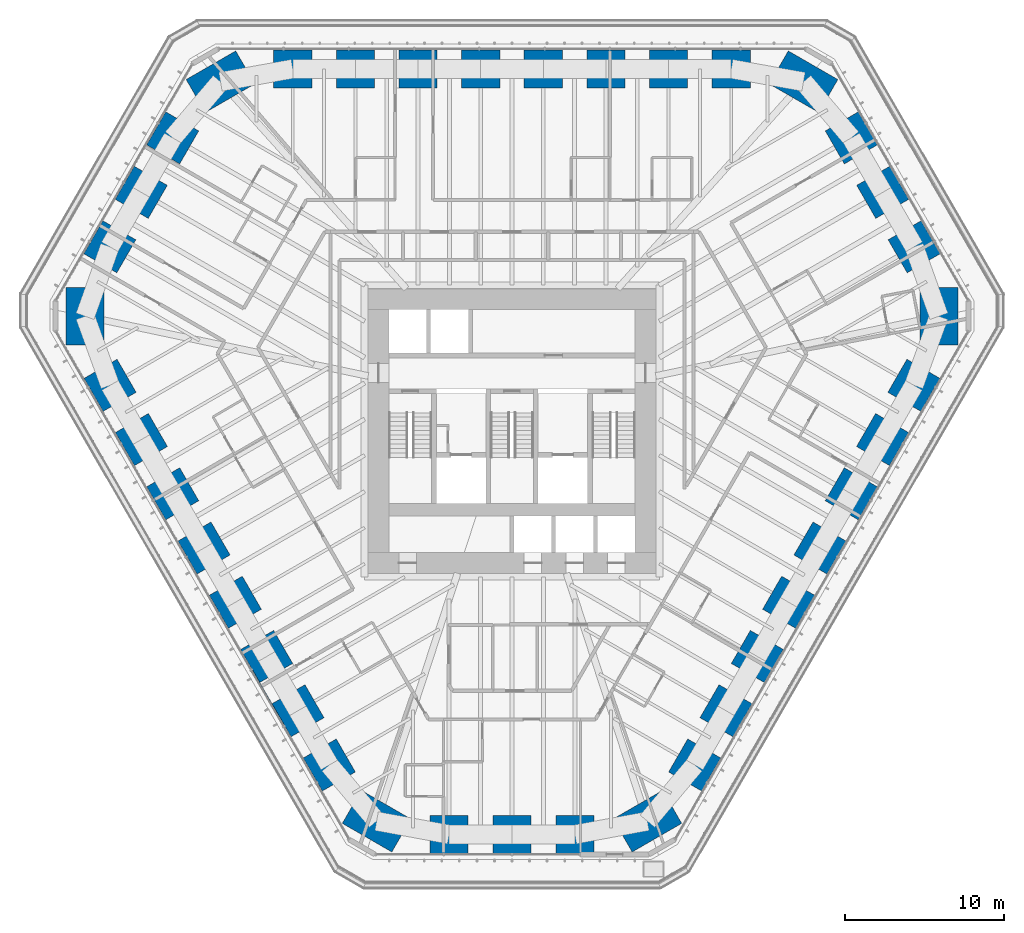
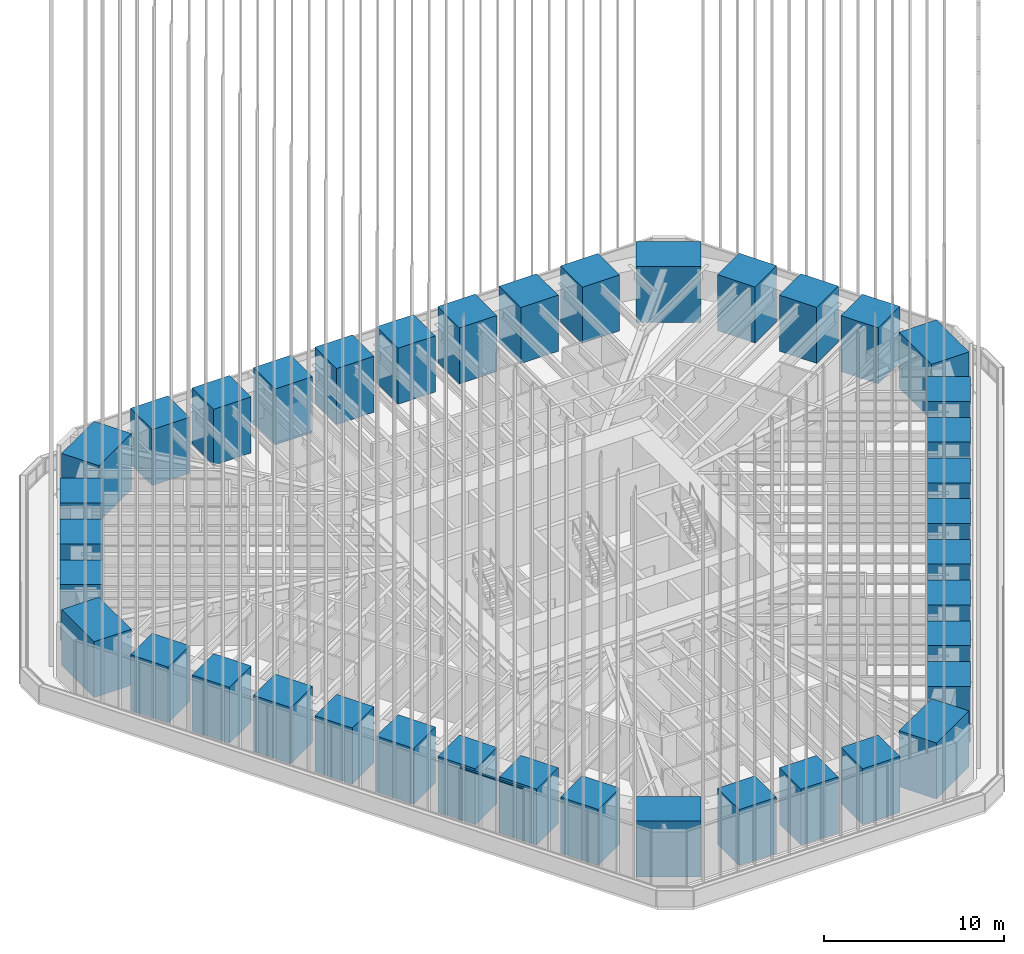
# One storey, part 1 of 238: 39 columns, 1 member, 1 element without a shape of its own.
"""IFC4 building model written with IfcOpenShell, lengths in metres."""

from ifc_helpers import new_model, si_unit, direction, frame, origin, origin_2d, place, context, subcontext, project, spatial, rectangle, extrude, clip, halfspace, material, material_profile, profile_set, type_object, element, aggregate, save


model = new_model("IFC4")

# Units and contexts
model_context = context("Model", 3, precision=1e-05, world=origin(), true_north=direction((0.0, 1.0)))
body_context = subcontext(model_context, "Body", "Model", "MODEL_VIEW")
ifc_project = project(units=[si_unit("LENGTHUNIT", "METRE"), si_unit("AREAUNIT", "SQUARE_METRE"), si_unit("VOLUMEUNIT", "CUBIC_METRE"), si_unit("PLANEANGLEUNIT", "RADIAN"), si_unit("MASSUNIT", "GRAM", prefix="KILO")], contexts=[model_context])

# Site, building, storey
site_placement = place(None, origin())
site = spatial("IfcSite", under=ifc_project, at=site_placement, CompositionType="ELEMENT")
building_placement = place(site_placement, origin())
building = spatial("IfcBuilding", under=site, at=building_placement, Name="Sandreach Pilgrim Tower", CompositionType="ELEMENT")
storey_placement = place(building_placement, frame((0.0, 0.0, 96.800048828125)))
storey = spatial("IfcBuildingStorey", under=building, at=storey_placement, Name="L23", CompositionType="ELEMENT", Elevation=96.800048828125)

# Columns
ifc_material_1 = material(Name="Concrete 10000 psi", Category="concrete")
ifc_material_profile_1 = material_profile(ifc_material_1, rectangle(XDim=2.39990234375, YDim=2.39990234375, at=origin_2d()), Name="RC2400X2400")
ifc_profile_set_1 = profile_set([ifc_material_profile_1], Name="Concrete 10000 psi")
column_type_1 = type_object("IfcColumnType", Name="Tube column RC2400X2400", PredefinedType="COLUMN", material=ifc_profile_set_1)
column_1_placement = place(storey_placement, frame((-13.789794921875, 21.23388671875, -0.07275390625), z_axis=(0.0, 0.0, 1.0), x_axis=(0.0, 1.0, 0.0)))
element("IfcColumn", 1, at=column_1_placement, inside=storey, type_object=column_type_1, Name="COL L23 T01", PredefinedType="COLUMN", context=body_context, shape_type="SweptSolid", body=[
    clip(extrude(rectangle(XDim=2.39990234375, YDim=2.39990234375, at=origin_2d()), origin(), (0.0, 0.0, 1.0), 3.872802734375), halfspace(frame((0.0, 0.0, 0.07275390625)), True)),
])
column_2_placement = place(storey_placement, frame((-9.849853515625, 21.23388671875, -0.064453125), z_axis=(0.0, 0.0, 1.0), x_axis=(0.0, 1.0, 0.0)))
element("IfcColumn", 2, at=column_2_placement, inside=storey, type_object=column_type_1, Name="COL L23 T02", PredefinedType="COLUMN", context=body_context, shape_type="SweptSolid", body=[
    clip(extrude(rectangle(XDim=2.39990234375, YDim=2.39990234375, at=origin_2d()), origin(), (0.0, 0.0, 1.0), 3.864501953125), halfspace(frame((0.0, 0.0, 0.064453125)), True)),
])
column_3_placement = place(storey_placement, frame((-5.909912109375, 21.23388671875, -0.056396484375), z_axis=(0.0, 0.0, 1.0), x_axis=(0.0, 1.0, 0.0)))
element("IfcColumn", 3, at=column_3_placement, inside=storey, type_object=column_type_1, Name="COL L23 T03", PredefinedType="COLUMN", context=body_context, shape_type="SweptSolid", body=[
    clip(extrude(rectangle(XDim=2.39990234375, YDim=2.39990234375, at=origin_2d()), origin(), (0.0, 0.0, 1.0), 3.8564453125), halfspace(frame((0.0, 0.0, 0.056396484375)), True)),
])
for number, where, z_axis, x_axis, name in (
    (4, (-1.969970703125, 21.23388671875, -0.048095703125), (0.0, 0.0, 1.0), (0.0, 1.0, 0.0), "COL L23 T04"),
    (5, (1.969970703125, 21.23388671875, -0.048095703125), (0.0, 0.0, 1.0), (0.0, 1.0, 0.0), "COL L23 T05"),
):
    element("IfcColumn", number, at=place(storey_placement, frame(where, z_axis=z_axis, x_axis=x_axis)), inside=storey, type_object=column_type_1, Name=name, PredefinedType="COLUMN", context=body_context, shape_type="SweptSolid", body=[
        clip(extrude(rectangle(XDim=2.39990234375, YDim=2.39990234375, at=origin_2d()), origin(), (0.0, 0.0, 1.0), 3.84814453125), halfspace(frame((0.0, 0.0, 0.048095703125)), True)),
    ])
column_4_placement = place(storey_placement, frame((5.909912109375, 21.23388671875, -0.056396484375), z_axis=(0.0, 0.0, 1.0), x_axis=(0.0, 1.0, 0.0)))
element("IfcColumn", 6, at=column_4_placement, inside=storey, type_object=column_type_1, Name="COL L23 T06", PredefinedType="COLUMN", context=body_context, shape_type="SweptSolid", body=[
    clip(extrude(rectangle(XDim=2.39990234375, YDim=2.39990234375, at=origin_2d()), origin(), (0.0, 0.0, 1.0), 3.8564453125), halfspace(frame((0.0, 0.0, 0.056396484375)), True)),
])
column_5_placement = place(storey_placement, frame((9.849853515625, 21.23388671875, -0.064453125), z_axis=(0.0, 0.0, 1.0), x_axis=(0.0, 1.0, 0.0)))
element("IfcColumn", 7, at=column_5_placement, inside=storey, type_object=column_type_1, Name="COL L23 T07", PredefinedType="COLUMN", context=body_context, shape_type="SweptSolid", body=[
    clip(extrude(rectangle(XDim=2.39990234375, YDim=2.39990234375, at=origin_2d()), origin(), (0.0, 0.0, 1.0), 3.864501953125), halfspace(frame((0.0, 0.0, 0.064453125)), True)),
])
column_6_placement = place(storey_placement, frame((13.789794921875, 21.23388671875, -0.07275390625), z_axis=(0.0, 0.0, 1.0), x_axis=(0.0, 1.0, 0.0)))
element("IfcColumn", 8, at=column_6_placement, inside=storey, type_object=column_type_1, Name="COL L23 T08", PredefinedType="COLUMN", context=body_context, shape_type="SweptSolid", body=[
    clip(extrude(rectangle(XDim=2.39990234375, YDim=2.39990234375, at=origin_2d()), origin(), (0.0, 0.0, 1.0), 3.872802734375), halfspace(frame((0.0, 0.0, 0.07275390625)), True)),
])
column_7_placement = place(storey_placement, frame((21.346435546875, 16.891357421875, -0.063232421875), z_axis=(0.0, 0.0, 1.0), x_axis=(0.866025403784, 0.5, 0.0)))
element("IfcColumn", 9, at=column_7_placement, inside=storey, type_object=column_type_1, Name="COL L23 T10", PredefinedType="COLUMN", context=body_context, shape_type="SweptSolid", body=[
    clip(extrude(rectangle(XDim=2.39990234375, YDim=2.39990234375, at=origin_2d()), origin(), (0.0, 0.0, 1.0), 3.86328125), halfspace(frame((0.0, 0.0, 0.063232421875)), True)),
])
column_8_placement = place(storey_placement, frame((23.323974609375, 13.466064453125, -0.05517578125), z_axis=(0.0, 0.0, 1.0), x_axis=(0.866025403784, 0.5, 0.0)))
element("IfcColumn", 10, at=column_8_placement, inside=storey, type_object=column_type_1, Name="COL L23 T11", PredefinedType="COLUMN", context=body_context, shape_type="SweptSolid", body=[
    clip(extrude(rectangle(XDim=2.39990234375, YDim=2.39990234375, at=origin_2d()), origin(), (0.0, 0.0, 1.0), 3.855224609375), halfspace(frame((0.0, 0.0, 0.05517578125)), True)),
])
column_9_placement = place(storey_placement, frame((25.301513671875, 10.040771484375, -0.063232421875), z_axis=(0.0, 0.0, 1.0), x_axis=(0.866025403784, 0.5, 0.0)))
element("IfcColumn", 11, at=column_9_placement, inside=storey, type_object=column_type_1, Name="COL L23 T12", PredefinedType="COLUMN", context=body_context, shape_type="SweptSolid", body=[
    clip(extrude(rectangle(XDim=2.39990234375, YDim=2.39990234375, at=origin_2d()), origin(), (0.0, 0.0, 1.0), 3.86328125), halfspace(frame((0.0, 0.0, 0.063232421875)), True)),
])
column_10_placement = place(storey_placement, frame((25.283935546875, 1.325439453125, -0.07275390625), z_axis=(0.0, 0.0, 1.0), x_axis=(0.866025403784, -0.5, 0.0)))
element("IfcColumn", 12, at=column_10_placement, inside=storey, type_object=column_type_1, Name="COL L23 T14", PredefinedType="COLUMN", context=body_context, shape_type="SweptSolid", body=[
    clip(extrude(rectangle(XDim=2.39990234375, YDim=2.39990234375, at=origin_2d()), origin(), (0.0, 0.0, 1.0), 3.872802734375), halfspace(frame((0.0, 0.0, 0.07275390625)), True)),
])
column_11_placement = place(storey_placement, frame((23.31396484375, -2.086669921875, -0.064453125), z_axis=(0.0, 0.0, 1.0), x_axis=(0.866025403784, -0.5, 0.0)))
element("IfcColumn", 13, at=column_11_placement, inside=storey, type_object=column_type_1, Name="COL L23 T15", PredefinedType="COLUMN", context=body_context, shape_type="SweptSolid", body=[
    clip(extrude(rectangle(XDim=2.39990234375, YDim=2.39990234375, at=origin_2d()), origin(), (0.0, 0.0, 1.0), 3.864501953125), halfspace(frame((0.0, 0.0, 0.064453125)), True)),
])
column_12_placement = place(storey_placement, frame((21.343994140625, -5.498779296875, -0.056396484375), z_axis=(0.0, 0.0, 1.0), x_axis=(0.866025403784, -0.5, 0.0)))
element("IfcColumn", 14, at=column_12_placement, inside=storey, type_object=column_type_1, Name="COL L23 T16", PredefinedType="COLUMN", context=body_context, shape_type="SweptSolid", body=[
    clip(extrude(rectangle(XDim=2.39990234375, YDim=2.39990234375, at=origin_2d()), origin(), (0.0, 0.0, 1.0), 3.8564453125), halfspace(frame((0.0, 0.0, 0.056396484375)), True)),
])
for number, where, z_axis, x_axis, name in (
    (15, (19.3740234375, -8.910888671875, -0.048095703125), (0.0, 0.0, 1.0), (0.866025403784, -0.5, 0.0), "COL L23 T17"),
    (16, (17.404052734375, -12.322998046875, -0.048095703125), (0.0, 0.0, 1.0), (0.866025403784, -0.5, 0.0), "COL L23 T18"),
):
    element("IfcColumn", number, at=place(storey_placement, frame(where, z_axis=z_axis, x_axis=x_axis)), inside=storey, type_object=column_type_1, Name=name, PredefinedType="COLUMN", context=body_context, shape_type="SweptSolid", body=[
        clip(extrude(rectangle(XDim=2.39990234375, YDim=2.39990234375, at=origin_2d()), origin(), (0.0, 0.0, 1.0), 3.84814453125), halfspace(frame((0.0, 0.0, 0.048095703125)), True)),
    ])
column_13_placement = place(storey_placement, frame((15.43408203125, -15.735107421875, -0.056396484375), z_axis=(0.0, 0.0, 1.0), x_axis=(0.866025403784, -0.5, 0.0)))
element("IfcColumn", 17, at=column_13_placement, inside=storey, type_object=column_type_1, Name="COL L23 T19", PredefinedType="COLUMN", context=body_context, shape_type="SweptSolid", body=[
    clip(extrude(rectangle(XDim=2.39990234375, YDim=2.39990234375, at=origin_2d()), origin(), (0.0, 0.0, 1.0), 3.8564453125), halfspace(frame((0.0, 0.0, 0.056396484375)), True)),
])
column_14_placement = place(storey_placement, frame((13.464111328125, -19.147216796875, -0.064453125), z_axis=(0.0, 0.0, 1.0), x_axis=(0.866025403784, -0.5, 0.0)))
element("IfcColumn", 18, at=column_14_placement, inside=storey, type_object=column_type_1, Name="COL L23 T20", PredefinedType="COLUMN", context=body_context, shape_type="SweptSolid", body=[
    clip(extrude(rectangle(XDim=2.39990234375, YDim=2.39990234375, at=origin_2d()), origin(), (0.0, 0.0, 1.0), 3.864501953125), halfspace(frame((0.0, 0.0, 0.064453125)), True)),
])
column_15_placement = place(storey_placement, frame((11.494140625, -22.559326171875, -0.07275390625), z_axis=(0.0, 0.0, 1.0), x_axis=(0.866025403784, -0.5, 0.0)))
element("IfcColumn", 19, at=column_15_placement, inside=storey, type_object=column_type_1, Name="COL L23 T21", PredefinedType="COLUMN", context=body_context, shape_type="SweptSolid", body=[
    clip(extrude(rectangle(XDim=2.39990234375, YDim=2.39990234375, at=origin_2d()), origin(), (0.0, 0.0, 1.0), 3.872802734375), halfspace(frame((0.0, 0.0, 0.07275390625)), True)),
])
column_16_placement = place(storey_placement, frame((3.955322265625, -26.93212890625, -0.063232421875), z_axis=(0.0, 0.0, 1.0), x_axis=(0.0, -1.0, 0.0)))
element("IfcColumn", 20, at=column_16_placement, inside=storey, type_object=column_type_1, Name="COL L23 T23", PredefinedType="COLUMN", context=body_context, shape_type="SweptSolid", body=[
    clip(extrude(rectangle(XDim=2.39990234375, YDim=2.39990234375, at=origin_2d()), origin(), (0.0, 0.0, 1.0), 3.86328125), halfspace(frame((0.0, 0.0, 0.063232421875)), True)),
])
column_17_placement = place(storey_placement, frame((0.0, -26.93212890625, -0.05517578125), z_axis=(0.0, 0.0, 1.0), x_axis=(0.0, -1.0, 0.0)))
element("IfcColumn", 21, at=column_17_placement, inside=storey, type_object=column_type_1, Name="COL L23 T24", PredefinedType="COLUMN", context=body_context, shape_type="SweptSolid", body=[
    clip(extrude(rectangle(XDim=2.39990234375, YDim=2.39990234375, at=origin_2d()), origin(), (0.0, 0.0, 1.0), 3.855224609375), halfspace(frame((0.0, 0.0, 0.05517578125)), True)),
])
column_18_placement = place(storey_placement, frame((-3.955322265625, -26.93212890625, -0.063232421875), z_axis=(0.0, 0.0, 1.0), x_axis=(0.0, -1.0, 0.0)))
element("IfcColumn", 22, at=column_18_placement, inside=storey, type_object=column_type_1, Name="COL L23 T25", PredefinedType="COLUMN", context=body_context, shape_type="SweptSolid", body=[
    clip(extrude(rectangle(XDim=2.39990234375, YDim=2.39990234375, at=origin_2d()), origin(), (0.0, 0.0, 1.0), 3.86328125), halfspace(frame((0.0, 0.0, 0.063232421875)), True)),
])
column_19_placement = place(storey_placement, frame((-11.494140625, -22.559326171875, -0.07275390625), z_axis=(0.0, 0.0, 1.0), x_axis=(-0.866025403784, -0.5, 0.0)))
element("IfcColumn", 23, at=column_19_placement, inside=storey, type_object=column_type_1, Name="COL L23 T27", PredefinedType="COLUMN", context=body_context, shape_type="SweptSolid", body=[
    clip(extrude(rectangle(XDim=2.39990234375, YDim=2.39990234375, at=origin_2d()), origin(), (0.0, 0.0, 1.0), 3.872802734375), halfspace(frame((0.0, 0.0, 0.07275390625)), True)),
])
column_20_placement = place(storey_placement, frame((-13.464111328125, -19.147216796875, -0.064453125), z_axis=(0.0, 0.0, 1.0), x_axis=(-0.866025403784, -0.5, 0.0)))
element("IfcColumn", 24, at=column_20_placement, inside=storey, type_object=column_type_1, Name="COL L23 T28", PredefinedType="COLUMN", context=body_context, shape_type="SweptSolid", body=[
    clip(extrude(rectangle(XDim=2.39990234375, YDim=2.39990234375, at=origin_2d()), origin(), (0.0, 0.0, 1.0), 3.864501953125), halfspace(frame((0.0, 0.0, 0.064453125)), True)),
])
column_21_placement = place(storey_placement, frame((-15.43408203125, -15.735107421875, -0.056396484375), z_axis=(0.0, 0.0, 1.0), x_axis=(-0.866025403784, -0.5, 0.0)))
element("IfcColumn", 25, at=column_21_placement, inside=storey, type_object=column_type_1, Name="COL L23 T29", PredefinedType="COLUMN", context=body_context, shape_type="SweptSolid", body=[
    clip(extrude(rectangle(XDim=2.39990234375, YDim=2.39990234375, at=origin_2d()), origin(), (0.0, 0.0, 1.0), 3.8564453125), halfspace(frame((0.0, 0.0, 0.056396484375)), True)),
])
for number, where, z_axis, x_axis, name in (
    (26, (-17.404052734375, -12.322998046875, -0.048095703125), (0.0, 0.0, 1.0), (-0.866025403784, -0.5, 0.0), "COL L23 T30"),
    (27, (-19.3740234375, -8.910888671875, -0.048095703125), (0.0, 0.0, 1.0), (-0.866025403784, -0.5, 0.0), "COL L23 T31"),
):
    element("IfcColumn", number, at=place(storey_placement, frame(where, z_axis=z_axis, x_axis=x_axis)), inside=storey, type_object=column_type_1, Name=name, PredefinedType="COLUMN", context=body_context, shape_type="SweptSolid", body=[
        clip(extrude(rectangle(XDim=2.39990234375, YDim=2.39990234375, at=origin_2d()), origin(), (0.0, 0.0, 1.0), 3.84814453125), halfspace(frame((0.0, 0.0, 0.048095703125)), True)),
    ])
column_22_placement = place(storey_placement, frame((-21.343994140625, -5.498779296875, -0.056396484375), z_axis=(0.0, 0.0, 1.0), x_axis=(-0.866025403784, -0.5, 0.0)))
element("IfcColumn", 28, at=column_22_placement, inside=storey, type_object=column_type_1, Name="COL L23 T32", PredefinedType="COLUMN", context=body_context, shape_type="SweptSolid", body=[
    clip(extrude(rectangle(XDim=2.39990234375, YDim=2.39990234375, at=origin_2d()), origin(), (0.0, 0.0, 1.0), 3.8564453125), halfspace(frame((0.0, 0.0, 0.056396484375)), True)),
])
column_23_placement = place(storey_placement, frame((-23.31396484375, -2.086669921875, -0.064453125), z_axis=(0.0, 0.0, 1.0), x_axis=(-0.866025403784, -0.5, 0.0)))
element("IfcColumn", 29, at=column_23_placement, inside=storey, type_object=column_type_1, Name="COL L23 T33", PredefinedType="COLUMN", context=body_context, shape_type="SweptSolid", body=[
    clip(extrude(rectangle(XDim=2.39990234375, YDim=2.39990234375, at=origin_2d()), origin(), (0.0, 0.0, 1.0), 3.864501953125), halfspace(frame((0.0, 0.0, 0.064453125)), True)),
])
column_24_placement = place(storey_placement, frame((-25.283935546875, 1.325439453125, -0.07275390625), z_axis=(0.0, 0.0, 1.0), x_axis=(-0.866025403784, -0.5, 0.0)))
element("IfcColumn", 30, at=column_24_placement, inside=storey, type_object=column_type_1, Name="COL L23 T34", PredefinedType="COLUMN", context=body_context, shape_type="SweptSolid", body=[
    clip(extrude(rectangle(XDim=2.39990234375, YDim=2.39990234375, at=origin_2d()), origin(), (0.0, 0.0, 1.0), 3.872802734375), halfspace(frame((0.0, 0.0, 0.07275390625)), True)),
])
column_25_placement = place(storey_placement, frame((-25.301513671875, 10.040771484375, -0.063232421875), z_axis=(0.0, 0.0, 1.0), x_axis=(-0.866025403784, 0.5, 0.0)))
element("IfcColumn", 31, at=column_25_placement, inside=storey, type_object=column_type_1, Name="COL L23 T36", PredefinedType="COLUMN", context=body_context, shape_type="SweptSolid", body=[
    clip(extrude(rectangle(XDim=2.39990234375, YDim=2.39990234375, at=origin_2d()), origin(), (0.0, 0.0, 1.0), 3.86328125), halfspace(frame((0.0, 0.0, 0.063232421875)), True)),
])
column_26_placement = place(storey_placement, frame((-23.323974609375, 13.466064453125, -0.05517578125), z_axis=(0.0, 0.0, 1.0), x_axis=(-0.866025403784, 0.5, 0.0)))
element("IfcColumn", 32, at=column_26_placement, inside=storey, type_object=column_type_1, Name="COL L23 T37", PredefinedType="COLUMN", context=body_context, shape_type="SweptSolid", body=[
    clip(extrude(rectangle(XDim=2.39990234375, YDim=2.39990234375, at=origin_2d()), origin(), (0.0, 0.0, 1.0), 3.855224609375), halfspace(frame((0.0, 0.0, 0.05517578125)), True)),
])
column_27_placement = place(storey_placement, frame((-21.346435546875, 16.891357421875, -0.063232421875), z_axis=(0.0, 0.0, 1.0), x_axis=(-0.866025403784, 0.5, 0.0)))
element("IfcColumn", 33, at=column_27_placement, inside=storey, type_object=column_type_1, Name="COL L23 T38", PredefinedType="COLUMN", context=body_context, shape_type="SweptSolid", body=[
    clip(extrude(rectangle(XDim=2.39990234375, YDim=2.39990234375, at=origin_2d()), origin(), (0.0, 0.0, 1.0), 3.86328125), halfspace(frame((0.0, 0.0, 0.063232421875)), True)),
])
ifc_material_2 = material(Name="Concrete 10000 psi", Category="concrete")
ifc_material_profile_2 = material_profile(ifc_material_2, rectangle(XDim=2.39990234375, YDim=3.60009765625, at=origin_2d()), Name="RC2400X3600")
ifc_profile_set_2 = profile_set([ifc_material_profile_2], Name="Concrete 10000 psi")
column_type_2 = type_object("IfcColumnType", Name="Tube corner pier RC2400X3600", PredefinedType="COLUMN", material=ifc_profile_set_2)
for number, where, z_axis, x_axis, name in (
    (34, (18.33935546875, 20.423828125, -0.073974609375), (0.0, 0.0, 1.0), (0.5, 0.866025403784, 0.0), "COL L23 T09"),
    (35, (26.857177734375, 5.67041015625, -0.073974609375), (0.0, 0.0, 1.0), (1.0, 0.0, 0.0), "COL L23 T13"),
    (36, (8.517822265625, -26.09423828125, -0.073974609375), (0.0, 0.0, 1.0), (0.5, -0.866025403784, 0.0), "COL L23 T22"),
    (37, (-8.517822265625, -26.09423828125, -0.073974609375), (0.0, 0.0, 1.0), (-0.5, -0.866025403784, 0.0), "COL L23 T26"),
    (38, (-26.857177734375, 5.67041015625, -0.073974609375), (0.0, 0.0, 1.0), (-1.0, 0.0, 0.0), "COL L23 T35"),
    (39, (-18.33935546875, 20.423828125, -0.073974609375), (0.0, 0.0, 1.0), (-0.5, 0.866025403784, 0.0), "COL L23 T39"),
):
    element("IfcColumn", number, at=place(storey_placement, frame(where, z_axis=z_axis, x_axis=x_axis)), inside=storey, type_object=column_type_2, Name=name, PredefinedType="COLUMN", context=body_context, shape_type="SweptSolid", body=[
        clip(extrude(rectangle(XDim=2.39990234375, YDim=3.60009765625, at=origin_2d()), origin(), (0.0, 0.0, 1.0), 3.8740234375), halfspace(frame((0.0, 0.0, 0.073974609375)), True)),
    ])

# Curtain wall, member
ifc_material_3 = material(Name="Aluminium framed curtain wall", Category="aluminium")
curtain_wall_type = type_object("IfcCurtainWallType", Name="Hotel tower curtain wall", PredefinedType="NOTDEFINED", material=ifc_material_3)
curtain_wall_placement = place(storey_placement, origin())
curtain_wall = element("IfcCurtainWall", 40, at=curtain_wall_placement, inside=storey, type_object=curtain_wall_type, Name="CW-2 L23 SW", PredefinedType="NOTDEFINED")
ifc_material_4 = material(Name="Aluminium extrusion", Category="aluminium")
ifc_material_profile_3 = material_profile(ifc_material_4, rectangle(XDim=0.139892578125, YDim=0.070068359375, at=origin_2d()), Name="CW-2T 140X70")
ifc_profile_set_3 = profile_set([ifc_material_profile_3], Name="Aluminium extrusion")
member_type = type_object("IfcMemberType", Name="CW-2 transom", PredefinedType="USERDEFINED", material=ifc_profile_set_3)
member_placement = place(storey_placement, frame((-14.36279296875, -20.110595703125, 3.60498046875), z_axis=(-0.499997818338, 0.866026663364, 0.0), x_axis=(-0.866026663364, -0.499997818338, 0.0)))
member = element("IfcMember", 41, at=member_placement, type_object=member_type, Name="CW-2 head transom 3", ObjectType="TRANSOM", PredefinedType="USERDEFINED", context=body_context, shape_type="SweptSolid", body=[
    extrude(rectangle(XDim=0.139892578125, YDim=0.070068359375, at=origin_2d()), origin(), (0.0, 0.0, 1.0), 4.0419921875),
])
aggregate(curtain_wall, [member])

save(model, "model.ifc")
